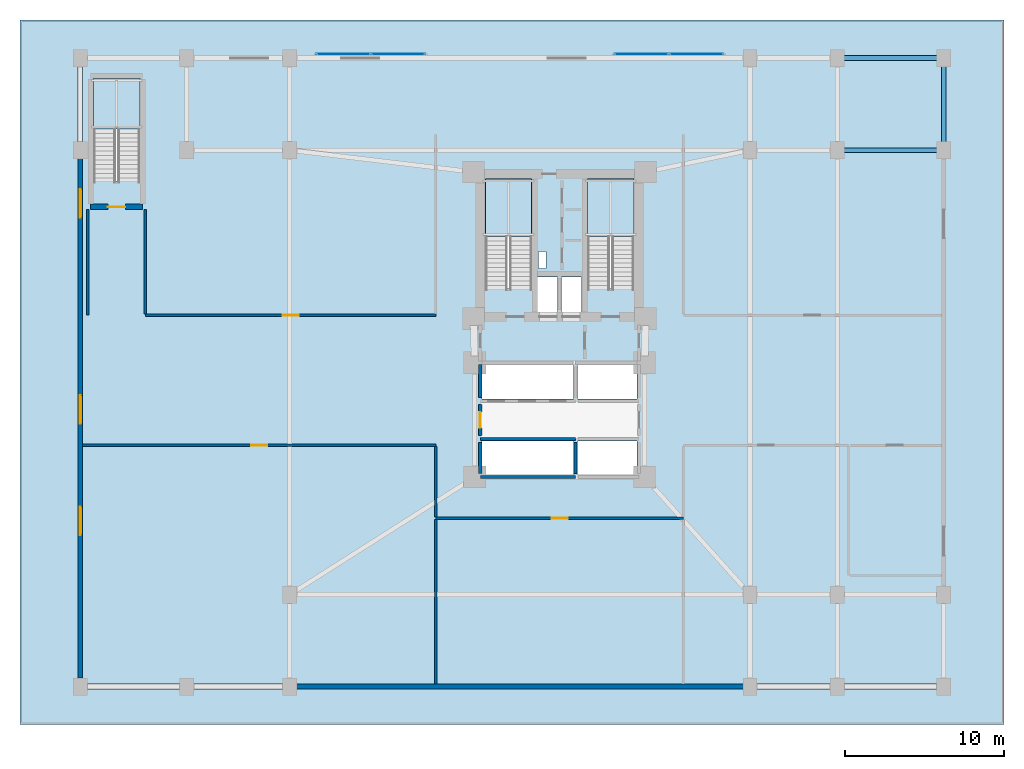
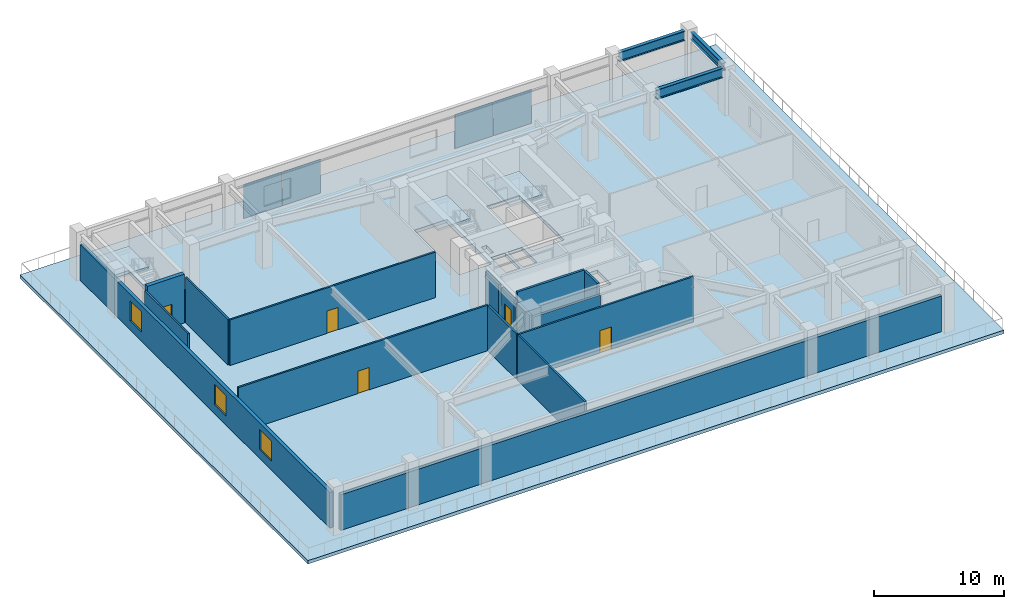
# One storey, part 5 of 10: 16 walls, 5 doors, 4 plates, 4 slabs, 3 beams, 3 windows, 8 openings, 5 elements without a shape of their own.
"""IFC4 building model written with IfcOpenShell, lengths in metres."""

import ifcopenshell
import ifcopenshell.guid

model = None  # the IFC model being written
_history = None  # IfcOwnerHistory: only IFC2X3 demands one
_inside = {}  # id of a spatial element -> (the spatial element, [elements in it])
_under = {}  # id of a project, library or spatial element -> (it, [spatial elements below it])
_declared = {}  # id of a project -> (the project, [libraries it declares])
_typed = {}  # id of a type object -> (the type object, [elements of that type])
_made_of = {}  # id of a material, layer set ... -> (it, [elements and type objects made of it])


def new_model(schema):
    """Start an empty IFC model of exactly this schema.

    Asked for "IFC4X3", IfcOpenShell would pick the latest addendum, in which some entities
    have other attributes; the version numbers below select the first issue.
    IFC2X3 requires an IfcOwnerHistory on every rooted entity: one is made here for all.
    """
    global model, _history
    if schema == "IFC4X3":
        model = ifcopenshell.file(schema_version=(4, 3, 0, 0))
    else:
        model = ifcopenshell.file(schema=schema)
    _inside.clear()
    _under.clear()
    _declared.clear()
    _typed.clear()
    _made_of.clear()
    _history = None
    if model.schema == "IFC2X3":
        org = make("IfcOrganization", Name="unknown")
        user = make(
            "IfcPersonAndOrganization",
            ThePerson=make("IfcPerson", FamilyName="unknown"),
            TheOrganization=org,
        )
        app = make(
            "IfcApplication",
            ApplicationDeveloper=org,
            Version="unknown",
            ApplicationFullName="unknown",
            ApplicationIdentifier="unknown",
        )
        _history = make(
            "IfcOwnerHistory",
            OwningUser=user,
            OwningApplication=app,
            ChangeAction="ADDED",
            CreationDate=0,
        )
    return model


def make(cls, **values):
    """One entity of the class cls with the attributes given. An attribute that is None is left unset."""
    return model.create_entity(
        cls, **{name: value for name, value in values.items() if value is not None}
    )


def rooted(cls, **values):
    """An entity with a GlobalId (a new one), such as an element, a storey or a relation."""
    return make(cls, GlobalId=ifcopenshell.guid.new(), OwnerHistory=_history, **values)


def si_unit(unit_type, name, prefix=None):
    """IfcSIUnit, for example si_unit("LENGTHUNIT", "METRE", prefix="MILLI")."""
    return make("IfcSIUnit", UnitType=unit_type, Prefix=prefix, Name=name)


def assignment(units):
    """IfcUnitAssignment: the units of a project."""
    return None if units is None else make("IfcUnitAssignment", Units=units)


def point(xyz):
    """IfcCartesianPoint."""
    return None if xyz is None else make("IfcCartesianPoint", Coordinates=xyz)


def direction(xyz):
    """IfcDirection."""
    return None if xyz is None else make("IfcDirection", DirectionRatios=xyz)


def frame(location, z_axis=None, x_axis=None):
    """IfcAxis2Placement3D, a coordinate frame: its origin and axes. An axis left out is left unset."""
    return make(
        "IfcAxis2Placement3D",
        Location=point(location),
        Axis=direction(z_axis),
        RefDirection=direction(x_axis),
    )


def frame_2d(location, x_axis=None):
    """IfcAxis2Placement2D, a coordinate frame in the plane: its origin and x axis."""
    return make(
        "IfcAxis2Placement2D", Location=point(location), RefDirection=direction(x_axis)
    )


def origin():
    """The frame at (0, 0, 0) with its axes left unset."""
    return frame((0.0, 0.0, 0.0))


def origin_2d():
    """The frame at (0, 0) in the plane with its x axis left unset."""
    return frame_2d((0.0, 0.0))


def place(relative_to, where):
    """IfcLocalPlacement: puts the frame where relative to a parent placement (None: the world)."""
    return make(
        "IfcLocalPlacement", PlacementRelTo=relative_to, RelativePlacement=where
    )


def context(
    kind, dimensions, precision=None, world=None, true_north=None, identifier=None
):
    """IfcGeometricRepresentationContext, for example the 3D "Model" context."""
    return make(
        "IfcGeometricRepresentationContext",
        ContextIdentifier=identifier,
        ContextType=kind,
        CoordinateSpaceDimension=dimensions,
        Precision=precision,
        WorldCoordinateSystem=world,
        TrueNorth=true_north,
    )


def subcontext(parent, identifier, kind, view, scale=None):
    """IfcGeometricRepresentationSubContext, for example "Body" below "Model"."""
    return make(
        "IfcGeometricRepresentationSubContext",
        ContextIdentifier=identifier,
        ContextType=kind,
        ParentContext=parent,
        TargetScale=scale,
        TargetView=view,
    )


def project(units=None, contexts=None):
    """IfcProject with its units and contexts."""
    return rooted(
        "IfcProject",
        Name="project",
        RepresentationContexts=contexts,
        UnitsInContext=assignment(units),
    )


def spatial(cls, under=None, at=None, **own):
    """A site, building, storey or space (cls), placed at a placement, below another one or the project."""
    s = rooted(cls, ObjectPlacement=at, **own)
    if under is not None:
        _under.setdefault(under.id(), (under, []))[1].append(s)
    return s


def polyline(points):
    """IfcPolyline through the points."""
    return make("IfcPolyline", Points=[point(p) for p in points])


def profile(cls, at=None, kind="AREA", **sizes):
    """A parametric profile (cls). Its sizes go by their IFC names, for example OverallWidth=200.0."""
    return make(cls, ProfileType=kind, Position=at, **sizes)


def rectangle(**sizes):
    """IfcRectangleProfileDef."""
    return profile("IfcRectangleProfileDef", **sizes)


def i_section(**sizes):
    """IfcIShapeProfileDef."""
    return profile("IfcIShapeProfileDef", **sizes)


def outline(outer, holes=None, kind="AREA"):
    """IfcArbitraryClosedProfileDef: a profile drawn as a closed curve; with holes, ...WithVoids."""
    if holes is None:
        return make("IfcArbitraryClosedProfileDef", ProfileType=kind, OuterCurve=outer)
    return make(
        "IfcArbitraryProfileDefWithVoids",
        ProfileType=kind,
        OuterCurve=outer,
        InnerCurves=holes,
    )


def extrude(swept, where, along, depth):
    """IfcExtrudedAreaSolid: the profile swept, set in the frame where, extruded along a direction by depth."""
    return make(
        "IfcExtrudedAreaSolid",
        SweptArea=swept,
        Position=where,
        ExtrudedDirection=direction(along),
        Depth=depth,
    )


def shape(context_of_items, identifier, shape_type, items):
    """IfcShapeRepresentation: the items that make up one representation, for example the "Body"."""
    return make(
        "IfcShapeRepresentation",
        ContextOfItems=context_of_items,
        RepresentationIdentifier=identifier,
        RepresentationType=shape_type,
        Items=items,
    )


def source(mapping_origin, context_of_items, identifier, shape_type, items):
    """IfcRepresentationMap: a shape defined once, which mapped items show again and again."""
    return make(
        "IfcRepresentationMap",
        MappingOrigin=mapping_origin,
        MappedRepresentation=shape(context_of_items, identifier, shape_type, items),
    )


def transform(
    local_origin,
    x_axis=None,
    y_axis=None,
    z_axis=None,
    scale=None,
    scale2=None,
    scale3=None,
    uniform=True,
):
    """IfcCartesianTransformationOperator3D, or its non-uniform kind. x_axis, y_axis, z_axis: its Axis1, 2, 3."""
    if uniform:
        return make(
            "IfcCartesianTransformationOperator3D",
            Axis1=direction(x_axis),
            Axis2=direction(y_axis),
            LocalOrigin=point(local_origin),
            Scale=scale,
            Axis3=direction(z_axis),
        )
    return make(
        "IfcCartesianTransformationOperator3DnonUniform",
        Axis1=direction(x_axis),
        Axis2=direction(y_axis),
        LocalOrigin=point(local_origin),
        Scale=scale,
        Axis3=direction(z_axis),
        Scale2=scale2,
        Scale3=scale3,
    )


def mapped(mapping_source, mapping_target):
    """IfcMappedItem: shows the shape of a source again, moved by a transform."""
    return make(
        "IfcMappedItem", MappingSource=mapping_source, MappingTarget=mapping_target
    )


def material(Name=None, Category=None):
    """IfcMaterial."""
    return make("IfcMaterial", Name=Name, Category=Category)


def layer(
    of_material, thickness, ventilated=None, Name=None, Category=None, Priority=None
):
    """IfcMaterialLayer: one layer of a wall or slab, of a material (None: an air gap)."""
    return make(
        "IfcMaterialLayer",
        Material=of_material,
        LayerThickness=thickness,
        IsVentilated=ventilated,
        Name=Name,
        Category=Category,
        Priority=Priority,
    )


def layer_set(layers, Name=None):
    """IfcMaterialLayerSet."""
    return make("IfcMaterialLayerSet", MaterialLayers=layers, LayerSetName=Name)


def material_profile(
    of_material, cross_section, Name=None, Category=None, Priority=None
):
    """IfcMaterialProfile: a cross section and its material."""
    return make(
        "IfcMaterialProfile",
        Name=Name,
        Material=of_material,
        Profile=cross_section,
        Priority=Priority,
        Category=Category,
    )


def profile_set(profiles, Name=None, composite=None):
    """IfcMaterialProfileSet."""
    return make(
        "IfcMaterialProfileSet",
        Name=Name,
        MaterialProfiles=profiles,
        CompositeProfile=composite,
    )


def made_of(thing, what):
    """Note that an element or type object is made of a material, layer set ...; save() writes the relation."""
    if what is not None:
        _made_of.setdefault(what.id(), (what, []))[1].append(thing)
    return thing


def type_object(cls, material=None, **own):
    """A type object (cls), such as IfcWallType, which elements share."""
    return made_of(rooted(cls, **own), material)


def type_shapes(of_type, sources):
    """Give a type object the sources (RepresentationMaps) that its elements show as mapped items."""
    of_type.RepresentationMaps = sources


def element(
    cls,
    number,
    at=None,
    inside=None,
    cuts=None,
    type_object=None,
    material=None,
    context=None,
    identifier="Body",
    shape_type=None,
    held_by="IfcProductDefinitionShape",
    body=None,
    shapes=None,
    **own,
):
    """One element of the class cls, such as IfcWall. Its Tag is "e" and its number.

    at: its placement. inside: the storey or other place that contains it. cuts: it is an
    opening in that element (IfcRelVoidsElement). A single representation is given by context,
    identifier, shape_type and body (its items); several are given by shapes. held_by: the class
    of the entity that holds the representations. save() writes the other relations.
    """
    e = rooted(cls, Tag="e%d" % number, ObjectPlacement=at, **own)
    if body is not None:
        shapes = [shape(context, identifier, shape_type, body)]
    if shapes is not None:
        e.Representation = make(held_by, Representations=shapes)
    if inside is not None:
        _inside.setdefault(inside.id(), (inside, []))[1].append(e)
    if cuts is not None:
        rooted(
            "IfcRelVoidsElement", RelatingBuildingElement=cuts, RelatedOpeningElement=e
        )
    if type_object is not None:
        _typed.setdefault(type_object.id(), (type_object, []))[1].append(e)
    return made_of(e, material)


def fill(opening, filler):
    """IfcRelFillsElement: the door or window that sits in an opening."""
    return rooted(
        "IfcRelFillsElement",
        RelatingOpeningElement=opening,
        RelatedBuildingElement=filler,
    )


def aggregate(whole, parts):
    """IfcRelAggregates: a whole, such as a stair, and the parts it consists of."""
    return rooted("IfcRelAggregates", RelatingObject=whole, RelatedObjects=parts)


def save(model, path):
    """Write the relations noted so far, then the file.

    IfcRelAggregates (storeys below a building ...), IfcRelContainedInSpatialStructure (elements
    in a storey), IfcRelDefinesByType, IfcRelAssociatesMaterial and IfcRelDeclares: one each for
    every whole, place, type object, material and project.
    """
    for whole, parts in _under.values():
        aggregate(whole, parts)
    for where, things in _inside.values():
        rooted(
            "IfcRelContainedInSpatialStructure",
            RelatedElements=things,
            RelatingStructure=where,
        )
    for kind, things in _typed.values():
        rooted("IfcRelDefinesByType", RelatedObjects=things, RelatingType=kind)
    for what, things in _made_of.values():
        rooted("IfcRelAssociatesMaterial", RelatedObjects=things, RelatingMaterial=what)
    for by, libraries in _declared.values():
        rooted("IfcRelDeclares", RelatingContext=by, RelatedDefinitions=libraries)
    model.write(path)


model = new_model("IFC4")

# Units and contexts
model_context = context("Model", 3, precision=1e-05, world=origin(), true_north=direction((0.0, 1.0)))
body_context = subcontext(model_context, "Body", "Model", "MODEL_VIEW")
ifc_project = project(units=[si_unit("LENGTHUNIT", "METRE"), si_unit("AREAUNIT", "SQUARE_METRE"), si_unit("VOLUMEUNIT", "CUBIC_METRE"), si_unit("PLANEANGLEUNIT", "RADIAN"), si_unit("MASSUNIT", "GRAM", prefix="KILO")], contexts=[model_context])

# Site, building, storey
site_placement = place(None, origin())
site = spatial("IfcSite", under=ifc_project, at=site_placement, CompositionType="ELEMENT")
building_placement = place(site_placement, origin())
building = spatial("IfcBuilding", under=site, at=building_placement, Name="Varnakorn Sky Granary", CompositionType="ELEMENT")
storey_placement = place(building_placement, frame((0.0, 0.0, 13.800048828125)))
storey = spatial("IfcBuildingStorey", under=building, at=storey_placement, Name="L03", CompositionType="ELEMENT", Elevation=13.800048828125)

# Beams
ifc_material_1 = material(Name="Steel S355JR", Category="steel")
ifc_material_profile_1 = material_profile(ifc_material_1, i_section(OverallWidth=0.300048828125, OverallDepth=0.699951171875, WebThickness=0.01708984375, FlangeThickness=0.031982421875, at=origin_2d()), Name="HE 700 B")
ifc_profile_set_1 = profile_set([ifc_material_profile_1], Name="Steel S355JR")
beam_type_1 = type_object("IfcBeamType", Name="BM-PG-700", PredefinedType="T_BEAM", material=ifc_profile_set_1)
beam_placement = place(storey_placement, frame((27.199951171875, 14.419921875, 3.929931640625), z_axis=(0.0, 1.0, 0.0), x_axis=(-1.0, 0.0, 0.0)))
element("IfcBeam", 1, at=beam_placement, inside=storey, type_object=beam_type_1, Name="Podium Y-Girder GY31 L03", PredefinedType="T_BEAM", context=body_context, shape_type="SweptSolid", body=[
    extrude(i_section(OverallWidth=0.300048828125, OverallDepth=0.699951171875, WebThickness=0.01708984375, FlangeThickness=0.031982421875, at=origin_2d()), origin(), (0.0, 0.0, 1.0), 4.9599609375),
])
ifc_material_profile_2 = material_profile(ifc_material_1, i_section(OverallWidth=0.300048828125, OverallDepth=0.89990234375, WebThickness=0.0185546875, FlangeThickness=0.034912109375, at=origin_2d()), Name="HE 900 B")
ifc_profile_set_2 = profile_set([ifc_material_profile_2], Name="Steel S355JR")
beam_type_2 = type_object("IfcBeamType", Name="BM-PG-900", PredefinedType="BEAM", material=ifc_profile_set_2)
for number, where, z_axis, x_axis, name in (
    (2, (20.919921875, 14.0, 3.829833984375), (1.0, 0.0, 0.0), (0.0, 1.0, 0.0), "Podium X-Girder GX12 L03"),
    (3, (20.919921875, 19.800048828125, 3.829833984375), (1.0, 0.0, 0.0), (0.0, 1.0, 0.0), "Podium X-Girder GX17 L03"),
):
    element("IfcBeam", number, at=place(storey_placement, frame(where, z_axis=z_axis, x_axis=x_axis)), inside=storey, type_object=beam_type_2, Name=name, PredefinedType="BEAM", context=body_context, shape_type="SweptSolid", body=[
        extrude(i_section(OverallWidth=0.300048828125, OverallDepth=0.89990234375, WebThickness=0.0185546875, FlangeThickness=0.034912109375, at=origin_2d()), origin(), (0.0, 0.0, 1.0), 5.860107421875),
    ])

# Stair, slab
ifc_material_2 = material(Name="Concrete C40/50", Category="concrete")
stair_type = type_object("IfcStairType", Name="ST-MAIN-ASSEMBLY", PredefinedType="HALF_TURN_STAIR", material=ifc_material_2)
stair_1_placement = place(storey_placement, origin())
stair_1 = element("IfcStair", 4, at=stair_1_placement, inside=storey, type_object=stair_type, Name="L03 Protected Exit Stair ST-1", PredefinedType="HALF_TURN_STAIR")
ifc_layer_1 = layer(ifc_material_2, 0.199951171875, Name="Concrete C40/50")
ifc_layer_set_1 = layer_set([ifc_layer_1], Name="Concrete C40/50")
slab_type_1 = type_object("IfcSlabType", Name="ST-MAIN-LAND", PredefinedType="LANDING", material=ifc_layer_set_1)
slab_1_placement = place(storey_placement, frame((0.0, 0.0, 2.099853515625)))
slab_1 = element("IfcSlab", 5, at=slab_1_placement, type_object=slab_type_1, Name="ST-1 landing 1", PredefinedType="LANDING", context=body_context, shape_type="SweptSolid", body=[
    extrude(outline(polyline([(1.239990234375, 8.56005859375), (1.239990234375, 12.179931640625), (-1.669921875, 12.179931640625), (-1.669921875, 8.56005859375), (1.239990234375, 8.56005859375)])), origin(), (0.0, 0.0, 1.0), 0.2001953125),
])
aggregate(stair_1, [slab_1])

stair_2_placement = place(storey_placement, origin())
stair_2 = element("IfcStair", 6, at=stair_2_placement, inside=storey, type_object=stair_type, Name="L03 Protected Exit Stair ST-2", PredefinedType="HALF_TURN_STAIR")
slab_2_placement = place(storey_placement, frame((0.0, 0.0, 2.099853515625)))
slab_2 = element("IfcSlab", 7, at=slab_2_placement, type_object=slab_type_1, Name="ST-2 landing 1", PredefinedType="LANDING", context=body_context, shape_type="SweptSolid", body=[
    extrude(outline(polyline([(7.679931640625, 8.56005859375), (7.679931640625, 12.179931640625), (4.77001953125, 12.179931640625), (4.77001953125, 8.56005859375), (7.679931640625, 8.56005859375)])), origin(), (0.0, 0.0, 1.0), 0.2001953125),
])
aggregate(stair_2, [slab_2])

stair_3_placement = place(storey_placement, origin())
stair_3 = element("IfcStair", 8, at=stair_3_placement, inside=storey, type_object=stair_type, Name="L03 Podium and Basement Protected Exit Stair ST-B3", PredefinedType="HALF_TURN_STAIR")
slab_3_placement = place(storey_placement, frame((0.0, 0.0, 2.099853515625)))
slab_3 = element("IfcSlab", 9, at=slab_3_placement, type_object=slab_type_1, Name="ST-B3 landing 1", PredefinedType="LANDING", context=body_context, shape_type="SweptSolid", body=[
    extrude(outline(polyline([(-23.449951171875, 15.340087890625), (-23.449951171875, 18.5), (-26.360107421875, 18.5), (-26.360107421875, 15.340087890625), (-23.449951171875, 15.340087890625)])), origin(), (0.0, 0.0, 1.0), 0.2001953125),
])
aggregate(stair_3, [slab_3])

# Slab
ifc_material_3 = material(Name="Concrete C50/60", Category="concrete")
ifc_layer_2 = layer(ifc_material_3, 0.320068359375, Name="Concrete C50/60")
ifc_layer_set_2 = layer_set([ifc_layer_2], Name="Concrete C50/60")
slab_type_2 = type_object("IfcSlabType", Name="ST-SL-POD-320", PredefinedType="FLOOR", material=ifc_layer_set_2)
slab_4_placement = place(storey_placement, frame((0.0, 0.0, -0.320068359375)))
element("IfcSlab", 10, at=slab_4_placement, inside=storey, type_object=slab_type_2, Name="Level L03 Structural Floor Slab", PredefinedType="FLOOR", context=body_context, shape_type="SweptSolid", body=[
    extrude(outline(polyline([(-31.0, -22.199951171875), (31.0, -22.199951171875), (31.0, 22.199951171875), (-31.0, 22.199951171875), (-31.0, -22.199951171875)]), holes=[polyline([(1.239990234375, 5.27490234375), (1.239990234375, 12.179931640625), (-1.669921875, 12.179931640625), (-1.669921875, 5.27490234375), (1.239990234375, 5.27490234375)]), polyline([(7.679931640625, 5.27490234375), (7.679931640625, 12.179931640625), (4.77001953125, 12.179931640625), (4.77001953125, 5.27490234375), (7.679931640625, 5.27490234375)]), polyline([(-23.449951171875, 12.054931640625), (-23.449951171875, 18.5), (-26.360107421875, 18.5), (-26.360107421875, 12.054931640625), (-23.449951171875, 12.054931640625)]), polyline([(1.659912109375, 6.550048828125), (2.14990234375, 6.550048828125), (2.14990234375, 7.6201171875), (1.659912109375, 7.6201171875), (1.659912109375, 6.550048828125)]), polyline([(1.6201171875, 3.739990234375), (2.8798828125, 3.739990234375), (2.8798828125, 6.010009765625), (1.6201171875, 6.010009765625), (1.6201171875, 3.739990234375)]), polyline([(3.1201171875, 3.739990234375), (4.3798828125, 3.739990234375), (4.3798828125, 6.010009765625), (3.1201171875, 6.010009765625), (3.1201171875, 3.739990234375)]), polyline([(-1.8798828125, -1.679931640625), (3.8798828125, -1.679931640625), (3.8798828125, 0.47998046875), (-1.8798828125, 0.47998046875), (-1.8798828125, -1.679931640625)]), polyline([(4.1201171875, -1.679931640625), (7.8798828125, -1.679931640625), (7.8798828125, 0.47998046875), (4.1201171875, 0.47998046875), (4.1201171875, -1.679931640625)]), polyline([(-1.8798828125, -6.47998046875), (3.8798828125, -6.47998046875), (3.8798828125, -4.320068359375), (-1.8798828125, -4.320068359375), (-1.8798828125, -6.47998046875)]), polyline([(4.1201171875, -6.47998046875), (7.8798828125, -6.47998046875), (7.8798828125, -4.320068359375), (4.1201171875, -4.320068359375), (4.1201171875, -6.47998046875)])]), origin(), (0.0, 0.0, 1.0), 0.320068359375),
])

# Curtain wall, plates
ifc_material_4 = material(Name="Anodised Bronze Aluminium Alloy 6063-T6", Category="aluminium")
ifc_layer_3 = layer(ifc_material_4, 0.2099609375, Name="Anodised Bronze Aluminium Alloy 6063-T6")
ifc_layer_set_3 = layer_set([ifc_layer_3], Name="Anodised Bronze Aluminium Alloy 6063-T6")
curtain_wall_type = type_object("IfcCurtainWallType", Name="CW-POD-2", PredefinedType="USERDEFINED", material=ifc_layer_set_3)
curtain_wall_1_placement = place(storey_placement, origin())
curtain_wall_1 = element("IfcCurtainWall", 11, at=curtain_wall_1_placement, inside=storey, type_object=curtain_wall_type, Name="Unitised Curtain Wall CW2 CW-L03-P1", ObjectType="CURTAIN WALL", PredefinedType="USERDEFINED")
ifc_material_5 = material(Name="Low-E Tinted Laminated Glass", Category="glass")
ifc_layer_4 = layer(ifc_material_5, 0.030029296875, Name="Low-E Tinted Laminated Glass")
ifc_layer_set_4 = layer_set([ifc_layer_4], Name="Low-E Tinted Laminated Glass")
plate_type = type_object("IfcPlateType", Name="CW-POD-2-PNL", PredefinedType="CURTAIN_PANEL")
shared_shape = source(origin(), body_context, "Body", "SweptSolid", [
    extrude(rectangle(XDim=3.387451171875, YDim=0.030029296875, at=origin_2d()), origin(), (0.0, 0.0, 1.0), 3.2099609375),
])
type_shapes(plate_type, [shared_shape])
plate_1_placement = place(storey_placement, frame((-10.63134765625, 20.050048828125, 0.070068359375), z_axis=(0.0, 0.0, 1.0), x_axis=(1.0, 0.0, 0.0)))
plate_1 = element("IfcPlate", 12, at=plate_1_placement, type_object=plate_type, material=ifc_layer_set_4, Name="CW2 vision glazing unit 1.1", PredefinedType="CURTAIN_PANEL", context=body_context, shape_type="MappedRepresentation", body=[
    mapped(shared_shape, transform((0.0, 0.0, 0.0), x_axis=(1.0, 0.0, 0.0), y_axis=(0.0, 1.0, 0.0), z_axis=(0.0, 0.0, 1.0), scale=1.0)),
])
plate_2_placement = place(storey_placement, frame((-7.168701171875, 20.050048828125, 0.070068359375), z_axis=(0.0, 0.0, 1.0), x_axis=(1.0, 0.0, 0.0)))
plate_2 = element("IfcPlate", 13, at=plate_2_placement, type_object=plate_type, material=ifc_layer_set_4, Name="CW2 vision glazing unit 2.1", PredefinedType="CURTAIN_PANEL", context=body_context, shape_type="MappedRepresentation", body=[
    mapped(shared_shape, transform((0.0, 0.0, 0.0), x_axis=(1.0, 0.0, 0.0), y_axis=(0.0, 1.0, 0.0), z_axis=(0.0, 0.0, 1.0), scale=1.0)),
])
aggregate(curtain_wall_1, [plate_1, plate_2])

curtain_wall_2_placement = place(storey_placement, origin())
curtain_wall_2 = element("IfcCurtainWall", 14, at=curtain_wall_2_placement, inside=storey, type_object=curtain_wall_type, Name="Unitised Curtain Wall CW2 CW-L03-P2", ObjectType="CURTAIN WALL", PredefinedType="USERDEFINED")
plate_3_placement = place(storey_placement, frame((8.168701171875, 20.050048828125, 0.070068359375), z_axis=(0.0, 0.0, 1.0), x_axis=(1.0, 0.0, 0.0)))
plate_3 = element("IfcPlate", 15, at=plate_3_placement, type_object=plate_type, material=ifc_layer_set_4, Name="CW2 vision glazing unit 1.1", PredefinedType="CURTAIN_PANEL", context=body_context, shape_type="MappedRepresentation", body=[
    mapped(shared_shape, transform((0.0, 0.0, 0.0), x_axis=(1.0, 0.0, 0.0), y_axis=(0.0, 1.0, 0.0), z_axis=(0.0, 0.0, 1.0), scale=1.0)),
])
plate_4_placement = place(storey_placement, frame((11.63134765625, 20.050048828125, 0.070068359375), z_axis=(0.0, 0.0, 1.0), x_axis=(1.0, 0.0, 0.0)))
plate_4 = element("IfcPlate", 16, at=plate_4_placement, type_object=plate_type, material=ifc_layer_set_4, Name="CW2 vision glazing unit 2.1", PredefinedType="CURTAIN_PANEL", context=body_context, shape_type="MappedRepresentation", body=[
    mapped(shared_shape, transform((0.0, 0.0, 0.0), x_axis=(1.0, 0.0, 0.0), y_axis=(0.0, 1.0, 0.0), z_axis=(0.0, 0.0, 1.0), scale=1.0)),
])
aggregate(curtain_wall_2, [plate_3, plate_4])

# Wall, opening, door
ifc_layer_5 = layer(ifc_material_3, 0.35009765625, Name="Concrete C50/60")
ifc_layer_set_5 = layer_set([ifc_layer_5], Name="Concrete C50/60")
wall_type_1 = type_object("IfcWallType", Name="WT-CW-INT-350", PredefinedType="SHEAR", material=ifc_layer_set_5)
wall_1_placement = place(storey_placement, frame((-26.550048828125, 10.419921875, 0.0), z_axis=(0.0, 0.0, 1.0), x_axis=(1.0, 0.0, 0.0)))
wall_1 = element("IfcWall", 17, at=wall_1_placement, inside=storey, type_object=wall_type_1, Name="Podium Stair ST-B3 South Wall L03", PredefinedType="SHEAR", context=body_context, shape_type="SweptSolid", body=[
    extrude(rectangle(XDim=3.280029296875, YDim=0.35009765625, at=frame_2d((1.64013671875, 0.0))), origin(), (0.0, 0.0, 1.0), 4.592041015625),
])
opening_1_placement = place(wall_1_placement, frame((1.090087890625, 0.0, 0.0)))
opening_1 = element("IfcOpeningElement", 18, at=opening_1_placement, cuts=wall_1, Name="Opening FD-90", PredefinedType="OPENING", context=body_context, shape_type="SweptSolid", body=[
    extrude(rectangle(XDim=1.10009765625, YDim=2.14990234375, at=frame_2d((0.550048828125, 1.074951171875))), frame((0.0, 0.18505859375, 0.0), z_axis=(0.0, -1.0, 0.0), x_axis=(1.0, 0.0, 0.0)), (0.0, 0.0, 1.0), 0.3701171875),
])
ifc_material_6 = material(Name="Galvanised Painted Steel Leaf", Category="steel")
door_type_1 = type_object("IfcDoorType", Name="DR-STAIR-1100", OperationType="NOTDEFINED", PredefinedType="DOOR", material=ifc_material_6)
door_1_placement = place(opening_1_placement, origin())
door_1 = element("IfcDoor", 19, at=door_1_placement, inside=storey, type_object=door_type_1, Name="Basement Stair ST-B3 Protected Fire Door L03", OperationType="SINGLE_SWING_LEFT", OverallHeight=2.14990234375, OverallWidth=1.10009765625, PredefinedType="DOOR", context=body_context, shape_type="SweptSolid", body=[
    extrude(rectangle(XDim=1.10009765625, YDim=2.14990234375, at=frame_2d((0.550048828125, 1.074951171875))), frame((0.0, 0.02490234375, 0.0), z_axis=(0.0, -1.0, 0.0), x_axis=(1.0, 0.0, 0.0)), (0.0, 0.0, 1.0), 0.050048828125),
])
fill(opening_1, door_1)

# Wall, openings, windows
ifc_material_7 = material(Name="Precast concrete C40/50", Category="concrete")
ifc_layer_6 = layer(ifc_material_7, 0.300048828125, Name="Precast concrete C40/50")
ifc_layer_set_6 = layer_set([ifc_layer_6], Name="Precast concrete C40/50")
wall_type_2 = type_object("IfcWallType", Name="WT-EW-POD-300", PredefinedType="SOLIDWALL", material=ifc_layer_set_6)
wall_2_placement = place(storey_placement, frame((-27.199951171875, -19.2548828125, 0.0), z_axis=(0.0, 0.0, 1.0), x_axis=(0.0, 1.0, 0.0)))
wall_2 = element("IfcWall", 20, at=wall_2_placement, inside=storey, type_object=wall_type_2, Name="Podium Exterior Facade Wall L03-W", PredefinedType="SOLIDWALL", context=body_context, shape_type="SweptSolid", body=[
    extrude(rectangle(XDim=38.509765625, YDim=0.300048828125, at=frame_2d((19.2548828125, 0.0))), origin(), (0.0, 0.0, 1.0), 3.349853515625),
])
opening_2_placement = place(wall_2_placement, frame((9.0, 0.0, 0.85009765625)))
opening_2 = element("IfcOpeningElement", 21, at=opening_2_placement, cuts=wall_2, Name="Opening WN-02", PredefinedType="OPENING", context=body_context, shape_type="SweptSolid", body=[
    extrude(rectangle(XDim=1.800048828125, YDim=1.89990234375, at=frame_2d((0.89990234375, 0.949951171875))), frame((0.0, 0.16015625, 0.0), z_axis=(0.0, -1.0, 0.0), x_axis=(1.0, 0.0, 0.0)), (0.0, 0.0, 1.0), 0.320068359375),
])
opening_3_placement = place(wall_2_placement, frame((16.0, 0.0, 0.85009765625)))
opening_3 = element("IfcOpeningElement", 22, at=opening_3_placement, cuts=wall_2, Name="Opening WN-02", PredefinedType="OPENING", context=body_context, shape_type="SweptSolid", body=[
    extrude(rectangle(XDim=1.800048828125, YDim=1.89990234375, at=frame_2d((0.89990234375, 0.949951171875))), frame((0.0, 0.16015625, 0.0), z_axis=(0.0, -1.0, 0.0), x_axis=(1.0, 0.0, 0.0)), (0.0, 0.0, 1.0), 0.320068359375),
])
opening_4_placement = place(wall_2_placement, frame((29.0, 0.0, 0.85009765625)))
opening_4 = element("IfcOpeningElement", 23, at=opening_4_placement, cuts=wall_2, Name="Opening WN-02", PredefinedType="OPENING", context=body_context, shape_type="SweptSolid", body=[
    extrude(rectangle(XDim=1.800048828125, YDim=1.89990234375, at=frame_2d((0.89990234375, 0.949951171875))), frame((0.0, 0.16015625, 0.0), z_axis=(0.0, -1.0, 0.0), x_axis=(1.0, 0.0, 0.0)), (0.0, 0.0, 1.0), 0.320068359375),
])
window_type = type_object("IfcWindowType", Name="WN-POD-1800", PartitioningType="SINGLE_PANEL", PredefinedType="WINDOW", material=ifc_material_5)
window_1_placement = place(opening_2_placement, origin())
window_1 = element("IfcWindow", 24, at=window_1_placement, inside=storey, type_object=window_type, Name="Podium Facade Window L03-W", OverallHeight=1.89990234375, OverallWidth=1.800048828125, PartitioningType="SINGLE_PANEL", PredefinedType="WINDOW", context=body_context, shape_type="SweptSolid", body=[
    extrude(rectangle(XDim=1.800048828125, YDim=1.89990234375, at=frame_2d((0.89990234375, 0.949951171875))), frame((0.0, 0.030029296875, 0.0), z_axis=(0.0, -1.0, 0.0), x_axis=(1.0, 0.0, 0.0)), (0.0, 0.0, 1.0), 0.06005859375),
])
fill(opening_2, window_1)
window_2_placement = place(opening_3_placement, origin())
window_2 = element("IfcWindow", 25, at=window_2_placement, inside=storey, type_object=window_type, Name="Podium Facade Window L03-W", OverallHeight=1.89990234375, OverallWidth=1.800048828125, PartitioningType="SINGLE_PANEL", PredefinedType="WINDOW", context=body_context, shape_type="SweptSolid", body=[
    extrude(rectangle(XDim=1.800048828125, YDim=1.89990234375, at=frame_2d((0.89990234375, 0.949951171875))), frame((0.0, 0.030029296875, 0.0), z_axis=(0.0, -1.0, 0.0), x_axis=(1.0, 0.0, 0.0)), (0.0, 0.0, 1.0), 0.06005859375),
])
fill(opening_3, window_2)
window_3_placement = place(opening_4_placement, origin())
window_3 = element("IfcWindow", 26, at=window_3_placement, inside=storey, type_object=window_type, Name="Podium Facade Window L03-W", OverallHeight=1.89990234375, OverallWidth=1.800048828125, PartitioningType="SINGLE_PANEL", PredefinedType="WINDOW", context=body_context, shape_type="SweptSolid", body=[
    extrude(rectangle(XDim=1.800048828125, YDim=1.89990234375, at=frame_2d((0.89990234375, 0.949951171875))), frame((0.0, 0.030029296875, 0.0), z_axis=(0.0, -1.0, 0.0), x_axis=(1.0, 0.0, 0.0)), (0.0, 0.0, 1.0), 0.06005859375),
])
fill(opening_4, window_3)

# Wall
wall_3_placement = place(storey_placement, frame((26.7548828125, -19.800048828125, 0.0), z_axis=(0.0, 0.0, 1.0), x_axis=(-1.0, 0.0, 0.0)))
element("IfcWall", 27, at=wall_3_placement, inside=storey, type_object=wall_type_2, Name="Podium Exterior Facade Wall L03-S", PredefinedType="SOLIDWALL", context=body_context, shape_type="SweptSolid", body=[
    extrude(rectangle(XDim=53.509765625, YDim=0.300048828125, at=frame_2d((26.7548828125, 0.0))), origin(), (0.0, 0.0, 1.0), 3.349853515625),
])

# Wall, opening, door
ifc_material_8 = material(Name="Autoclaved Aerated Concrete Blockwork", Category="masonry")
ifc_layer_7 = layer(ifc_material_8, 0.199951171875, Name="Autoclaved Aerated Concrete Blockwork")
ifc_layer_set_7 = layer_set([ifc_layer_7], Name="Autoclaved Aerated Concrete Blockwork")
wall_type_3 = type_object("IfcWallType", Name="WT-FIRE-200", PredefinedType="MOVABLE", material=ifc_layer_set_7)
wall_4_placement = place(storey_placement, frame((-2.0, -3.969970703125, 0.0), z_axis=(0.0, 0.0, 1.0), x_axis=(0.0, 1.0, 0.0)))
wall_4 = element("IfcWall", 28, at=wall_4_placement, inside=storey, type_object=wall_type_3, Name="Interior Partition Wall L03-019", PredefinedType="MOVABLE", context=body_context, shape_type="SweptSolid", body=[
    extrude(rectangle(XDim=1.93994140625, YDim=0.199951171875, at=frame_2d((0.969970703125, 0.0))), origin(), (0.0, 0.0, 1.0), 3.362060546875),
])
opening_5_placement = place(wall_4_placement, frame((0.469970703125, 0.0, 0.0)))
opening_5 = element("IfcOpeningElement", 29, at=opening_5_placement, cuts=wall_4, Name="Opening FD-60", PredefinedType="OPENING", context=body_context, shape_type="SweptSolid", body=[
    extrude(rectangle(XDim=1.0, YDim=2.10009765625, at=frame_2d((0.5, 1.050048828125))), frame((0.0, 0.10986328125, 0.0), z_axis=(0.0, -1.0, 0.0), x_axis=(1.0, 0.0, 0.0)), (0.0, 0.0, 1.0), 0.219970703125),
])
ifc_material_9 = material(Name="Acoustic Timber Fire Leaf", Category="wood")
door_type_2 = type_object("IfcDoorType", Name="DR-FD60-1000", OperationType="NOTDEFINED", PredefinedType="DOOR", material=ifc_material_9)
door_2_placement = place(opening_5_placement, origin())
door_2 = element("IfcDoor", 30, at=door_2_placement, inside=storey, type_object=door_type_2, Name="Interior Door L03-019-1", OperationType="SINGLE_SWING_RIGHT", OverallHeight=2.10009765625, OverallWidth=1.0, PredefinedType="DOOR", context=body_context, shape_type="SweptSolid", body=[
    extrude(rectangle(XDim=1.0, YDim=2.10009765625, at=frame_2d((0.5, 1.050048828125))), frame((0.0, 0.02490234375, 0.0), z_axis=(0.0, -1.0, 0.0), x_axis=(1.0, 0.0, 0.0)), (0.0, 0.0, 1.0), 0.050048828125),
])
fill(opening_5, door_2)

ifc_material_10 = material(Name="Gypsum Plasterboard on Steel Stud", Category="steel")
ifc_layer_8 = layer(ifc_material_10, 0.14990234375, Name="Gypsum Plasterboard on Steel Stud")
ifc_layer_set_8 = layer_set([ifc_layer_8], Name="Gypsum Plasterboard on Steel Stud")
wall_type_4 = type_object("IfcWallType", Name="WT-PART-150", PredefinedType="PARTITIONING", material=ifc_layer_set_8)
wall_5_placement = place(storey_placement, frame((-4.800048828125, 3.60009765625, 0.0), z_axis=(0.0, 0.0, 1.0), x_axis=(-1.0, 0.0, 0.0)))
wall_5 = element("IfcWall", 31, at=wall_5_placement, inside=storey, type_object=wall_type_4, Name="Interior Partition Wall L03-021", PredefinedType="PARTITIONING", context=body_context, shape_type="SweptSolid", body=[
    extrude(rectangle(XDim=18.300048828125, YDim=0.14990234375, at=frame_2d((9.14990234375, 0.0))), origin(), (0.0, 0.0, 1.0), 4.280029296875),
])
opening_6_placement = place(wall_5_placement, frame((8.64990234375, 0.0, 0.0)))
opening_6 = element("IfcOpeningElement", 32, at=opening_6_placement, cuts=wall_5, Name="Opening ID-100", PredefinedType="OPENING", context=body_context, shape_type="SweptSolid", body=[
    extrude(rectangle(XDim=1.0, YDim=2.10009765625, at=frame_2d((0.5, 1.050048828125))), frame((0.0, 0.0849609375, 0.0), z_axis=(0.0, -1.0, 0.0), x_axis=(1.0, 0.0, 0.0)), (0.0, 0.0, 1.0), 0.169921875),
])
ifc_material_11 = material(Name="Solid-Core Teak Veneer Leaf", Category="timber")
door_type_3 = type_object("IfcDoorType", Name="DR-INT-1000", OperationType="NOTDEFINED", PredefinedType="DOOR", material=ifc_material_11)
door_3_placement = place(opening_6_placement, origin())
door_3 = element("IfcDoor", 33, at=door_3_placement, inside=storey, type_object=door_type_3, Name="Interior Door L03-021-1", OperationType="SINGLE_SWING_RIGHT", OverallHeight=2.10009765625, OverallWidth=1.0, PredefinedType="DOOR", context=body_context, shape_type="SweptSolid", body=[
    extrude(rectangle(XDim=1.0, YDim=2.10009765625, at=frame_2d((0.5, 1.050048828125))), frame((0.0, 0.02490234375, 0.0), z_axis=(0.0, -1.0, 0.0), x_axis=(1.0, 0.0, 0.0)), (0.0, 0.0, 1.0), 0.050048828125),
])
fill(opening_6, door_3)

wall_6_placement = place(storey_placement, frame((-27.050048828125, -4.60009765625, 0.0), z_axis=(0.0, 0.0, 1.0), x_axis=(1.0, 0.0, 0.0)))
wall_6 = element("IfcWall", 34, at=wall_6_placement, inside=storey, type_object=wall_type_4, Name="Interior Partition Wall L03-023", PredefinedType="PARTITIONING", context=body_context, shape_type="SweptSolid", body=[
    extrude(rectangle(XDim=22.25, YDim=0.14990234375, at=frame_2d((11.125, 0.0))), origin(), (0.0, 0.0, 1.0), 4.280029296875),
])
opening_7_placement = place(wall_6_placement, frame((10.625, 0.0, 0.0)))
opening_7 = element("IfcOpeningElement", 35, at=opening_7_placement, cuts=wall_6, Name="Opening ID-100", PredefinedType="OPENING", context=body_context, shape_type="SweptSolid", body=[
    extrude(rectangle(XDim=1.0, YDim=2.10009765625, at=frame_2d((0.5, 1.050048828125))), frame((0.0, 0.0849609375, 0.0), z_axis=(0.0, -1.0, 0.0), x_axis=(1.0, 0.0, 0.0)), (0.0, 0.0, 1.0), 0.169921875),
])
door_4_placement = place(opening_7_placement, origin())
door_4 = element("IfcDoor", 36, at=door_4_placement, inside=storey, type_object=door_type_3, Name="Interior Door L03-023-1", OperationType="SINGLE_SWING_RIGHT", OverallHeight=2.10009765625, OverallWidth=1.0, PredefinedType="DOOR", context=body_context, shape_type="SweptSolid", body=[
    extrude(rectangle(XDim=1.0, YDim=2.10009765625, at=frame_2d((0.5, 1.050048828125))), frame((0.0, 0.02490234375, 0.0), z_axis=(0.0, -1.0, 0.0), x_axis=(1.0, 0.0, 0.0)), (0.0, 0.0, 1.0), 0.050048828125),
])
fill(opening_7, door_4)

wall_7_placement = place(storey_placement, frame((-4.800048828125, -9.199951171875, 0.0), z_axis=(0.0, 0.0, 1.0), x_axis=(1.0, 0.0, 0.0)))
wall_7 = element("IfcWall", 37, at=wall_7_placement, inside=storey, type_object=wall_type_4, Name="Interior Partition Wall L03-026", PredefinedType="PARTITIONING", context=body_context, shape_type="SweptSolid", body=[
    extrude(rectangle(XDim=15.60009765625, YDim=0.14990234375, at=frame_2d((7.800048828125, 0.0))), origin(), (0.0, 0.0, 1.0), 4.280029296875),
])
opening_8_placement = place(wall_7_placement, frame((7.300048828125, 0.0, 0.0)))
opening_8 = element("IfcOpeningElement", 38, at=opening_8_placement, cuts=wall_7, Name="Opening ID-100", PredefinedType="OPENING", context=body_context, shape_type="SweptSolid", body=[
    extrude(rectangle(XDim=1.0, YDim=2.10009765625, at=frame_2d((0.5, 1.050048828125))), frame((0.0, 0.0849609375, 0.0), z_axis=(0.0, -1.0, 0.0), x_axis=(1.0, 0.0, 0.0)), (0.0, 0.0, 1.0), 0.169921875),
])
door_5_placement = place(opening_8_placement, origin())
door_5 = element("IfcDoor", 39, at=door_5_placement, inside=storey, type_object=door_type_3, Name="Interior Door L03-026-1", OperationType="SINGLE_SWING_LEFT", OverallHeight=2.10009765625, OverallWidth=1.0, PredefinedType="DOOR", context=body_context, shape_type="SweptSolid", body=[
    extrude(rectangle(XDim=1.0, YDim=2.10009765625, at=frame_2d((0.5, 1.050048828125))), frame((0.0, 0.02490234375, 0.0), z_axis=(0.0, -1.0, 0.0), x_axis=(1.0, 0.0, 0.0)), (0.0, 0.0, 1.0), 0.050048828125),
])
fill(opening_8, door_5)

# Walls
wall_8_placement = place(storey_placement, frame((-23.10009765625, 3.68505859375, 0.0), z_axis=(0.0, 0.0, 1.0), x_axis=(0.0, 1.0, 0.0)))
element("IfcWall", 40, at=wall_8_placement, inside=storey, type_object=wall_type_4, Name="Interior Partition Wall L03-031", PredefinedType="PARTITIONING", context=body_context, shape_type="SweptSolid", body=[
    extrude(rectangle(XDim=6.56494140625, YDim=0.14990234375, at=frame_2d((3.282470703125, 0.0))), origin(), (0.0, 0.0, 1.0), 4.280029296875),
])
wall_9_placement = place(storey_placement, frame((-26.72998046875, 10.25, 0.0), z_axis=(0.0, 0.0, 1.0), x_axis=(0.0, -1.0, 0.0)))
element("IfcWall", 41, at=wall_9_placement, inside=storey, type_object=wall_type_4, Name="Interior Partition Wall L03-032", PredefinedType="PARTITIONING", context=body_context, shape_type="SweptSolid", body=[
    extrude(rectangle(XDim=6.64990234375, YDim=0.14990234375, at=frame_2d((3.324951171875, 0.0))), origin(), (0.0, 0.0, 1.0), 4.280029296875),
])
wall_10_placement = place(storey_placement, frame((-4.800048828125, -4.68505859375, 0.0), z_axis=(0.0, 0.0, 1.0), x_axis=(0.0, -1.0, 0.0)))
element("IfcWall", 42, at=wall_10_placement, inside=storey, type_object=wall_type_4, Name="Interior Partition Wall L03-034", PredefinedType="PARTITIONING", context=body_context, shape_type="SweptSolid", body=[
    extrude(rectangle(XDim=4.429931640625, YDim=0.14990234375, at=frame_2d((2.21484375, 0.0))), origin(), (0.0, 0.0, 1.0), 4.280029296875),
])
wall_11_placement = place(storey_placement, frame((-4.800048828125, -9.284912109375, 0.0), z_axis=(0.0, 0.0, 1.0), x_axis=(0.0, -1.0, 0.0)))
element("IfcWall", 43, at=wall_11_placement, inside=storey, type_object=wall_type_4, Name="Interior Partition Wall L03-036", PredefinedType="PARTITIONING", context=body_context, shape_type="SweptSolid", body=[
    extrude(rectangle(XDim=10.364990234375, YDim=0.14990234375, at=frame_2d((5.1826171875, 0.0))), origin(), (0.0, 0.0, 1.0), 4.280029296875),
])
ifc_layer_9 = layer(ifc_material_8, 0.199951171875, Name="Autoclaved Aerated Concrete Blockwork")
ifc_layer_set_9 = layer_set([ifc_layer_9], Name="Autoclaved Aerated Concrete Blockwork")
wall_type_5 = type_object("IfcWallType", Name="WT-SHAFT-200", PredefinedType="SOLIDWALL", material=ifc_layer_set_9)
wall_12_placement = place(storey_placement, frame((-2.0, -1.570068359375, 0.0), z_axis=(0.0, 0.0, 1.0), x_axis=(0.0, 1.0, 0.0)))
element("IfcWall", 44, at=wall_12_placement, inside=storey, type_object=wall_type_5, Name="Interior Partition Wall L03-004", PredefinedType="SOLIDWALL", context=body_context, shape_type="SweptSolid", body=[
    extrude(rectangle(XDim=2.050048828125, YDim=0.199951171875, at=frame_2d((1.02490234375, 0.0))), origin(), (0.0, 0.0, 1.0), 3.362060546875),
])
wall_13_placement = place(storey_placement, frame((-2.0, -4.199951171875, 0.0), z_axis=(0.0, 0.0, 1.0), x_axis=(1.0, 0.0, 0.0)))
element("IfcWall", 45, at=wall_13_placement, inside=storey, type_object=wall_type_5, Name="Interior Partition Wall L03-008", PredefinedType="SOLIDWALL", context=body_context, shape_type="SweptSolid", body=[
    extrude(rectangle(XDim=6.0, YDim=0.199951171875, at=frame_2d((3.0, 0.0))), origin(), (0.0, 0.0, 1.0), 4.280029296875),
])
wall_14_placement = place(storey_placement, frame((-2.0, -6.60009765625, 0.0), z_axis=(0.0, 0.0, 1.0), x_axis=(1.0, 0.0, 0.0)))
element("IfcWall", 46, at=wall_14_placement, inside=storey, type_object=wall_type_5, Name="Interior Partition Wall L03-009", PredefinedType="SOLIDWALL", context=body_context, shape_type="SweptSolid", body=[
    extrude(rectangle(XDim=6.0, YDim=0.199951171875, at=frame_2d((3.0, 0.0))), origin(), (0.0, 0.0, 1.0), 3.362060546875),
])
wall_15_placement = place(storey_placement, frame((-2.0, -6.3701171875, 0.0), z_axis=(0.0, 0.0, 1.0), x_axis=(0.0, 1.0, 0.0)))
element("IfcWall", 47, at=wall_15_placement, inside=storey, type_object=wall_type_5, Name="Interior Partition Wall L03-010", PredefinedType="SOLIDWALL", context=body_context, shape_type="SweptSolid", body=[
    extrude(rectangle(XDim=1.940185546875, YDim=0.199951171875, at=frame_2d((0.97021484375, 0.0))), origin(), (0.0, 0.0, 1.0), 3.362060546875),
])
wall_16_placement = place(storey_placement, frame((4.0, -6.3701171875, 0.0), z_axis=(0.0, 0.0, 1.0), x_axis=(0.0, 1.0, 0.0)))
element("IfcWall", 48, at=wall_16_placement, inside=storey, type_object=wall_type_5, Name="Interior Partition Wall L03-013", PredefinedType="SOLIDWALL", context=body_context, shape_type="SweptSolid", body=[
    extrude(rectangle(XDim=1.940185546875, YDim=0.199951171875, at=frame_2d((0.97021484375, 0.0))), origin(), (0.0, 0.0, 1.0), 4.280029296875),
])

save(model, "model.ifc")
